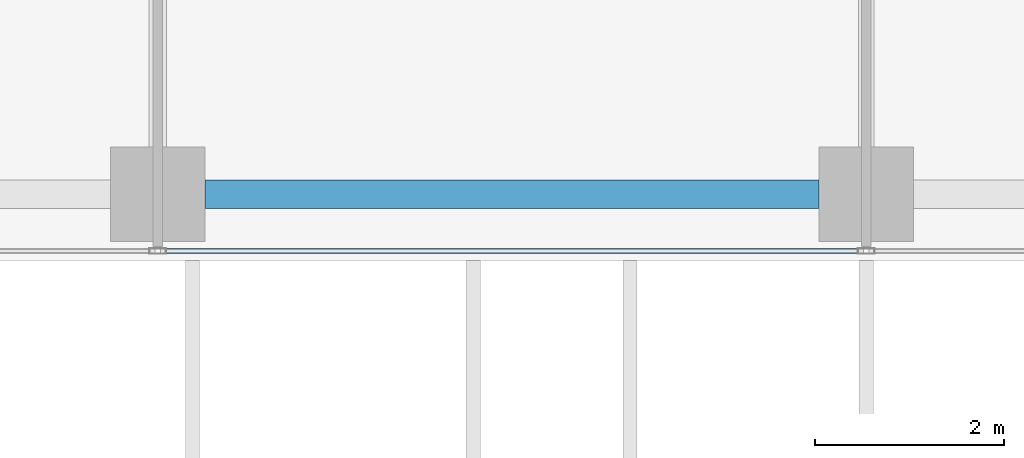
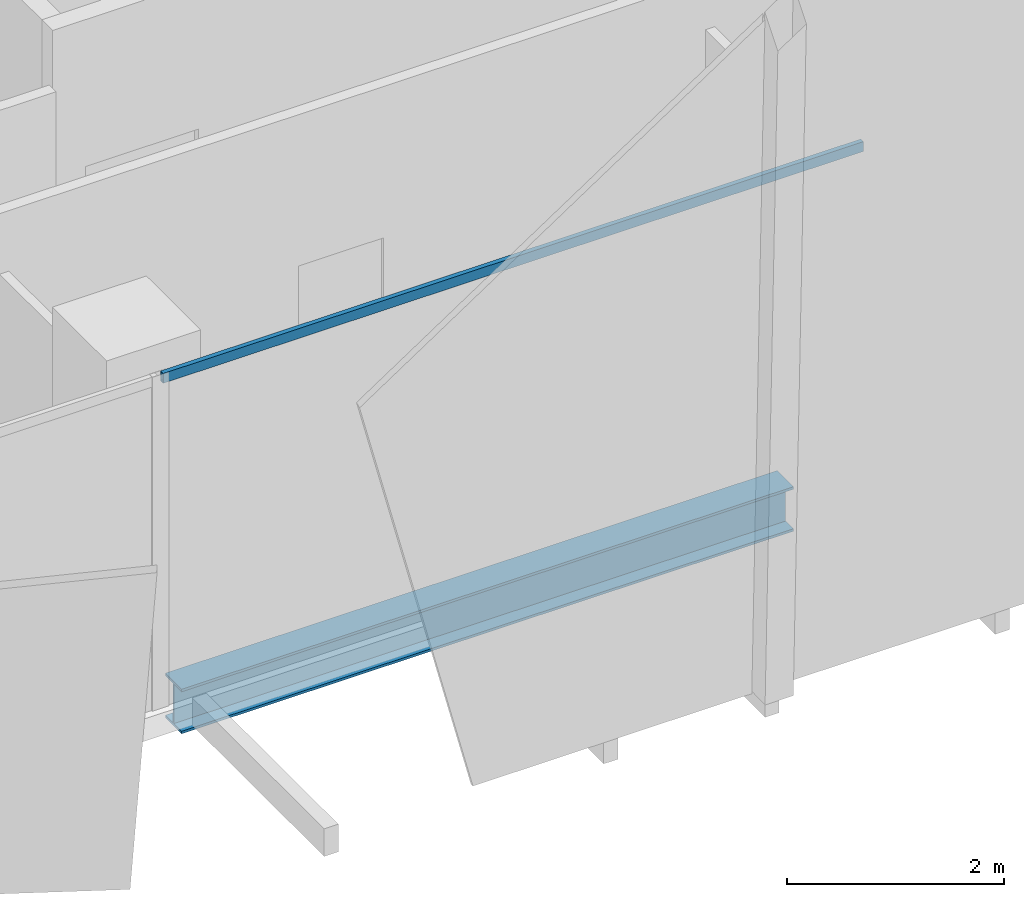
# One storey, part 3 of 35: 1 beam, 1 member, 1 element without a shape of its own.
"""IFC4 building model written with IfcOpenShell, lengths in metres."""

from ifc_helpers import new_model, si_unit, direction, frame, origin, origin_2d, place, context, subcontext, project, spatial, hollow_rectangle, i_section, extrude, source, transform, mapped, material, material_profile, profile_set, type_object, element, aggregate, save


model = new_model("IFC4")

# Units and contexts
model_context = context("Model", 3, precision=1e-05, world=origin(), true_north=direction((0.0, 1.0)))
body_context = subcontext(model_context, "Body", "Model", "MODEL_VIEW")
ifc_project = project(units=[si_unit("LENGTHUNIT", "METRE"), si_unit("AREAUNIT", "SQUARE_METRE"), si_unit("VOLUMEUNIT", "CUBIC_METRE"), si_unit("PLANEANGLEUNIT", "RADIAN"), si_unit("MASSUNIT", "GRAM", prefix="KILO")], contexts=[model_context])

# Site, building, storey
site_placement = place(None, origin())
site = spatial("IfcSite", under=ifc_project, at=site_placement, CompositionType="ELEMENT")
building_placement = place(site_placement, origin())
building = spatial("IfcBuilding", under=site, at=building_placement, Name="Khomas Fold Tower", CompositionType="ELEMENT")
storey_placement = place(building_placement, frame((0.0, 0.0, 212.699951171875)))
storey = spatial("IfcBuildingStorey", under=building, at=storey_placement, Name="L47", CompositionType="ELEMENT", Elevation=212.699951171875)

# Beam
ifc_material_1 = material(Name="Steel S355", Category="steel")
ifc_material_profile_1 = material_profile(ifc_material_1, i_section(OverallWidth=0.300048828125, OverallDepth=0.5, WebThickness=0.014404296875, FlangeThickness=0.028076171875, at=origin_2d()), Name="HE 500 B")
ifc_profile_set_1 = profile_set([ifc_material_profile_1], Name="Steel S355")
beam_type = type_object("IfcBeamType", Name="HE 500 B spandrel SB3", PredefinedType="SPANDREL", material=ifc_profile_set_1)
shared_shape_1 = source(origin(), body_context, "Body", "SweptSolid", [
    extrude(i_section(OverallWidth=0.300048828125, OverallDepth=0.5, WebThickness=0.014404296875, FlangeThickness=0.028076171875, at=origin_2d()), origin(), (0.0, 0.0, 1.0), 6.5),
])
beam_placement = place(storey_placement, frame((12.5, 3.699951171875, -0.5), z_axis=(1.0, 0.0, 0.0), x_axis=(0.0, 1.0, 0.0)))
element("IfcBeam", 1, at=beam_placement, inside=storey, type_object=beam_type, Name="SB3", PredefinedType="SPANDREL", context=body_context, shape_type="MappedRepresentation", body=[
    mapped(shared_shape_1, transform((0.0, 0.0, 0.0))),
])

# Curtain wall, member
ifc_material_2 = material(Name="Aluminium framed double glazing", Category="aluminium")
curtain_wall_type = type_object("IfcCurtainWallType", Name="SK-Unitised clear-glass wall, office floors CW2", PredefinedType="NOTDEFINED", material=ifc_material_2)
curtain_wall_placement = place(storey_placement, origin())
curtain_wall = element("IfcCurtainWall", 2, at=curtain_wall_placement, inside=storey, type_object=curtain_wall_type, Name="CW2 run L47 00-0", PredefinedType="NOTDEFINED")
ifc_material_3 = material(Name="Aluminium", Category="aluminium")
ifc_material_profile_2 = material_profile(ifc_material_3, hollow_rectangle(XDim=0.050048828125, YDim=0.110107421875, WallThickness=0.00390625, at=origin_2d()), Name="SK-Unitised clear-glass wall, office floors transom CW2-T")
ifc_profile_set_2 = profile_set([ifc_material_profile_2], Name="Aluminium")
member_type = type_object("IfcMemberType", Name="SK-Unitised clear-glass wall, office floors transom CW2-T", PredefinedType="USERDEFINED", material=ifc_profile_set_2)
shared_shape_2 = source(origin(), body_context, "Body", "SweptSolid", [
    extrude(hollow_rectangle(XDim=0.050048828125, YDim=0.110107421875, WallThickness=0.00390625, at=origin_2d()), origin(), (0.0, 0.0, 1.0), 7.43994140625),
])
member_placement = place(storey_placement, frame((12.030029296875, 3.10009765625, 3.695068359375), z_axis=(1.0, 0.0, 0.0), x_axis=(0.0, 1.0, 0.0)))
member = element("IfcMember", 3, at=member_placement, type_object=member_type, Name="CW2 transom 3", ObjectType="TRANSOM", PredefinedType="USERDEFINED", context=body_context, shape_type="MappedRepresentation", body=[
    mapped(shared_shape_2, transform((0.0, 0.0, 0.0))),
])
aggregate(curtain_wall, [member])

save(model, "model.ifc")
